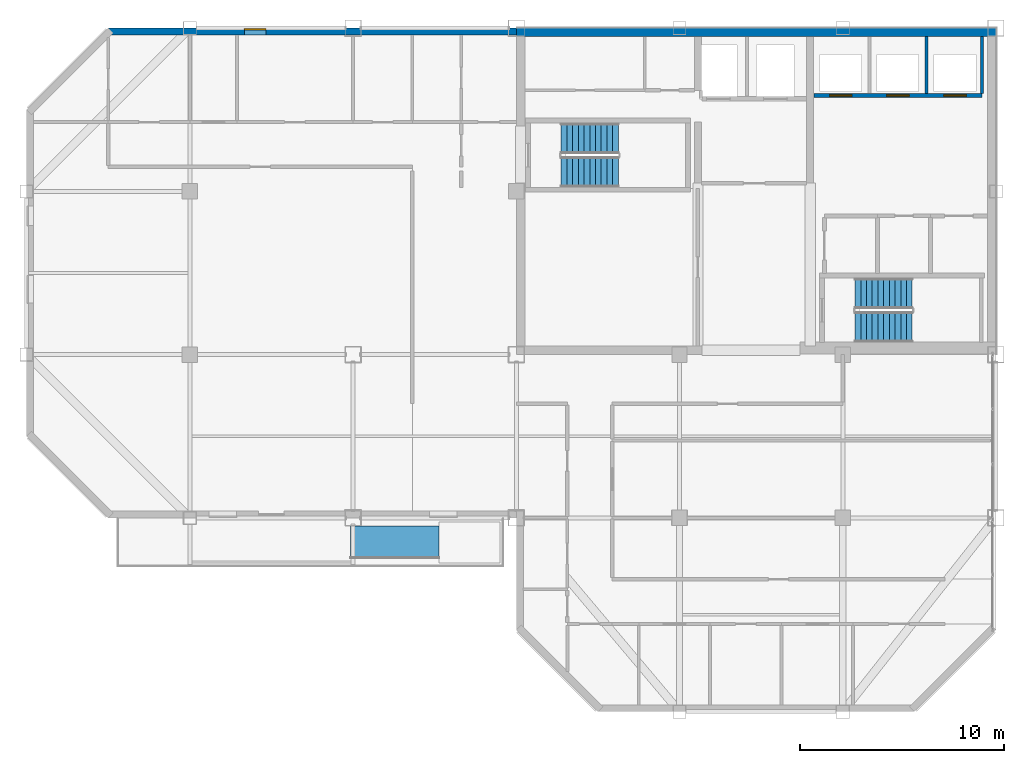
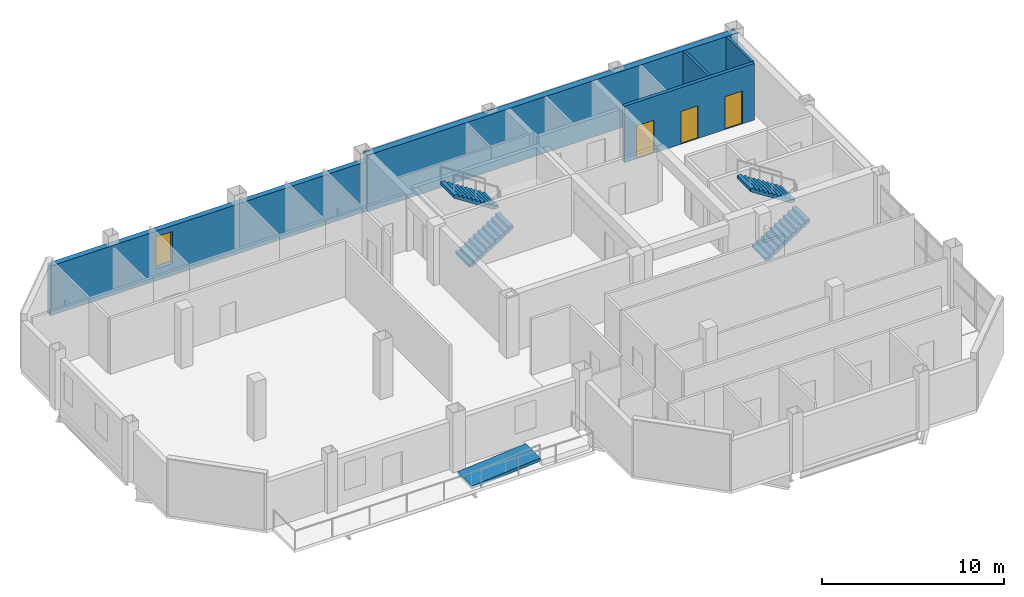
# One storey, part 10 of 13: 5 walls, 4 stair flights, 3 doors, 1 ramp flight, 1 window, 4 openings, 3 elements without a shape of their own.
"""IFC4 building model written with IfcOpenShell, lengths in metres."""

from ifc_helpers import new_model, si_unit, direction, frame, frame_2d, origin, place, context, subcontext, project, spatial, polyline, rectangle, outline, extrude, material, layer, layer_set, type_object, element, fill, aggregate, save


model = new_model("IFC4")

# Units and contexts
model_context = context("Model", 3, precision=1e-05, world=origin(), true_north=direction((0.0, 1.0)))
body_context = subcontext(model_context, "Body", "Model", "MODEL_VIEW")
ifc_project = project(units=[si_unit("LENGTHUNIT", "METRE"), si_unit("AREAUNIT", "SQUARE_METRE"), si_unit("VOLUMEUNIT", "CUBIC_METRE"), si_unit("PLANEANGLEUNIT", "RADIAN"), si_unit("MASSUNIT", "GRAM", prefix="KILO")], contexts=[model_context])

# Site, building, storey
site_placement = place(None, origin())
site = spatial("IfcSite", under=ifc_project, at=site_placement, CompositionType="ELEMENT")
building_placement = place(site_placement, origin())
building = spatial("IfcBuilding", under=site, at=building_placement, Name="Qianrong Seaharbour Tower", CompositionType="ELEMENT")
storey_placement = place(building_placement, frame((0.0, 0.0, 291.199951171875)))
storey = spatial("IfcBuildingStorey", under=building, at=storey_placement, Name="L70", CompositionType="ELEMENT", Elevation=291.199951171875)

# Wall
ifc_material_1 = material(Name="Concrete C50/60", Category="concrete")
ifc_layer_1 = layer(ifc_material_1, 0.419921875)
ifc_layer_set_1 = layer_set([ifc_layer_1], Name="Concrete C50/60")
wall_type_1 = type_object("IfcWallType", Name="WALL-CORE-420", PredefinedType="SHEAR", material=ifc_layer_set_1)
wall_1_placement = place(storey_placement, frame((40.5, 51.7900390625, 0.0), z_axis=(0.0, 0.0, 1.0), x_axis=(1.0, 0.0, 0.0)))
element("IfcWall", 1, at=wall_1_placement, inside=storey, type_object=wall_type_1, Name="L70 North Core Shear Wall", PredefinedType="SHEAR", context=body_context, shape_type="SweptSolid", body=[
    extrude(rectangle(XDim=23.5, YDim=0.419921875, at=frame_2d((11.75, 0.0))), origin(), (0.0, 0.0, 1.0), 3.78515625),
])

# Wall, opening, window
ifc_material_2 = material(Name="Unitised buff brick on Precast concrete C45/55", Category="masonry")
ifc_layer_2 = layer(ifc_material_2, 0.340087890625)
ifc_layer_set_2 = layer_set([ifc_layer_2], Name="Unitised buff brick on Precast concrete C45/55")
wall_type_2 = type_object("IfcWallType", Name="WALL-EXT-BRICK-BUFF-340", PredefinedType="SOLIDWALL", material=ifc_layer_set_2)
wall_2_placement = place(storey_placement, frame((20.5, 51.830078125, 0.0), z_axis=(0.0, 0.0, 1.0), x_axis=(1.0, 0.0, 0.0)))
wall_2 = element("IfcWall", 2, at=wall_2_placement, inside=storey, type_object=wall_type_2, Name="L70 Exterior Masonry Facade Wall NORTH_WING", PredefinedType="SOLIDWALL", context=body_context, shape_type="SweptSolid", body=[
    extrude(rectangle(XDim=20.02001953125, YDim=0.340087890625, at=frame_2d((10.010009765625, 0.0))), origin(), (0.0, 0.0, 1.0), 3.3349609375),
])
opening_1_placement = place(wall_2_placement, frame((6.675048828125, 0.0, 0.800048828125)))
opening_1 = element("IfcOpeningElement", 3, at=opening_1_placement, cuts=wall_2, Name="Opening WN-14", PredefinedType="OPENING", context=body_context, shape_type="SweptSolid", body=[
    extrude(rectangle(XDim=1.050048828125, YDim=2.14990234375, at=frame_2d((0.52490234375, 1.074951171875))), frame((0.0, 0.18017578125, 0.0), z_axis=(0.0, -1.0, 0.0), x_axis=(1.0, 0.0, 0.0)), (0.0, 0.0, 1.0), 0.360107421875),
])
ifc_material_3 = material(Name="Insulated low-e double glazing in thermally broken aluminium 6063-T6 frame", Category="aluminium")
window_type = type_object("IfcWindowType", Name="WIN-NARROW-1050x2150", PartitioningType="SINGLE_PANEL", PredefinedType="WINDOW", material=ifc_material_3)
window_placement = place(opening_1_placement, origin())
window = element("IfcWindow", 4, at=window_placement, inside=storey, type_object=window_type, Name="L70 Deep-Set Punched Window 05.02", OverallHeight=2.14990234375, OverallWidth=1.050048828125, PartitioningType="SINGLE_PANEL", PredefinedType="WINDOW", context=body_context, shape_type="SweptSolid", body=[
    extrude(rectangle(XDim=1.050048828125, YDim=2.14990234375, at=frame_2d((0.52490234375, 1.074951171875))), frame((0.0, 0.150146484375, 0.0), z_axis=(0.0, -1.0, 0.0), x_axis=(1.0, 0.0, 0.0)), (0.0, 0.0, 1.0), 0.06005859375),
])
fill(opening_1, window)

# Walls
ifc_material_4 = material(Name="Fire-rated gypsum board on steel studs", Category="steel")
ifc_layer_3 = layer(ifc_material_4, 0.14990234375)
ifc_layer_set_3 = layer_set([ifc_layer_3], Name="Fire-rated gypsum board on steel studs")
wall_type_3 = type_object("IfcWallType", Name="WALL-SHAFT-DIV-150", PredefinedType="PARTITIONING", material=ifc_layer_set_3)
for number, where, z_axis, x_axis, name in (
    (5, (60.60009765625, 48.81005859375, 0.0), (0.0, 0.0, 1.0), (0.0, 1.0, 0.0), "L70 P4 Lift Hoistway Divider 3"),
    (6, (63.320068359375, 48.81005859375, 0.0), (0.0, 0.0, 1.0), (0.0, 1.0, 0.0), "L70 P4 Lift Hoistway Divider 4"),
):
    element("IfcWall", number, at=place(storey_placement, frame(where, z_axis=z_axis, x_axis=x_axis)), inside=storey, type_object=wall_type_3, Name=name, PredefinedType="PARTITIONING", context=body_context, shape_type="SweptSolid", body=[
        extrude(rectangle(XDim=2.77001953125, YDim=0.14990234375, at=frame_2d((1.385009765625, 0.0))), origin(), (0.0, 0.0, 1.0), 3.78515625),
    ])

# Wall, openings, doors
ifc_layer_4 = layer(ifc_material_4, 0.219970703125)
ifc_layer_set_4 = layer_set([ifc_layer_4], Name="Fire-rated gypsum board on steel studs")
wall_type_4 = type_object("IfcWallType", Name="WALL-SHAFT-GYP220", PredefinedType="PARTITIONING", material=ifc_layer_set_4)
wall_3_placement = place(storey_placement, frame((63.320068359375, 48.699951171875, 0.0), z_axis=(0.0, 0.0, 1.0), x_axis=(-1.0, 0.0, 0.0)))
wall_3 = element("IfcWall", 7, at=wall_3_placement, inside=storey, type_object=wall_type_4, Name="L70 P4 Lift Hoistway Front Wall", PredefinedType="PARTITIONING", context=body_context, shape_type="SweptSolid", body=[
    extrude(rectangle(XDim=8.239990234375, YDim=0.219970703125, at=frame_2d((4.1201171875, 0.0))), origin(), (0.0, 0.0, 1.0), 3.78515625),
])
opening_2_placement = place(wall_3_placement, frame((6.3701171875, 0.0, 0.0)))
opening_2 = element("IfcOpeningElement", 8, at=opening_2_placement, cuts=wall_3, Name="Opening LD-02", PredefinedType="OPENING", context=body_context, shape_type="SweptSolid", body=[
    extrude(rectangle(XDim=1.10009765625, YDim=2.199951171875, at=frame_2d((0.550048828125, 1.10009765625))), frame((0.0, 0.1201171875, 0.0), z_axis=(0.0, -1.0, 0.0), x_axis=(1.0, 0.0, 0.0)), (0.0, 0.0, 1.0), 0.239990234375),
])
opening_3_placement = place(wall_3_placement, frame((3.570068359375, 0.0, 0.0)))
opening_3 = element("IfcOpeningElement", 9, at=opening_3_placement, cuts=wall_3, Name="Opening LD-02", PredefinedType="OPENING", context=body_context, shape_type="SweptSolid", body=[
    extrude(rectangle(XDim=1.10009765625, YDim=2.199951171875, at=frame_2d((0.550048828125, 1.10009765625))), frame((0.0, 0.1201171875, 0.0), z_axis=(0.0, -1.0, 0.0), x_axis=(1.0, 0.0, 0.0)), (0.0, 0.0, 1.0), 0.239990234375),
])
opening_4_placement = place(wall_3_placement, frame((0.77001953125, 0.0, 0.0)))
opening_4 = element("IfcOpeningElement", 10, at=opening_4_placement, cuts=wall_3, Name="Opening LD-02", PredefinedType="OPENING", context=body_context, shape_type="SweptSolid", body=[
    extrude(rectangle(XDim=1.10009765625, YDim=2.199951171875, at=frame_2d((0.550048828125, 1.10009765625))), frame((0.0, 0.1201171875, 0.0), z_axis=(0.0, -1.0, 0.0), x_axis=(1.0, 0.0, 0.0)), (0.0, 0.0, 1.0), 0.239990234375),
])
ifc_material_5 = material(Name="Stainless steel SUS316L bi-parting lift landing door", Category="steel")
door_type = type_object("IfcDoorType", Name="DOOR-LIFT-PASS-1100x2200", OperationType="DOUBLE_DOOR_SLIDING", PredefinedType="DOOR", material=ifc_material_5)
door_1_placement = place(opening_2_placement, origin())
door_1 = element("IfcDoor", 11, at=door_1_placement, inside=storey, type_object=door_type, Name="L70 PL-4A Lift Landing Door", OperationType="DOUBLE_DOOR_SLIDING", OverallHeight=2.199951171875, OverallWidth=1.10009765625, PredefinedType="DOOR", context=body_context, shape_type="SweptSolid", body=[
    extrude(rectangle(XDim=1.10009765625, YDim=2.199951171875, at=frame_2d((0.550048828125, 1.10009765625))), frame((0.0, 0.02490234375, 0.0), z_axis=(0.0, -1.0, 0.0), x_axis=(1.0, 0.0, 0.0)), (0.0, 0.0, 1.0), 0.050048828125),
])
fill(opening_2, door_1)
door_2_placement = place(opening_3_placement, origin())
door_2 = element("IfcDoor", 12, at=door_2_placement, inside=storey, type_object=door_type, Name="L70 PL-4B Lift Landing Door", OperationType="DOUBLE_DOOR_SLIDING", OverallHeight=2.199951171875, OverallWidth=1.10009765625, PredefinedType="DOOR", context=body_context, shape_type="SweptSolid", body=[
    extrude(rectangle(XDim=1.10009765625, YDim=2.199951171875, at=frame_2d((0.550048828125, 1.10009765625))), frame((0.0, 0.02490234375, 0.0), z_axis=(0.0, -1.0, 0.0), x_axis=(1.0, 0.0, 0.0)), (0.0, 0.0, 1.0), 0.050048828125),
])
fill(opening_3, door_2)
door_3_placement = place(opening_4_placement, origin())
door_3 = element("IfcDoor", 13, at=door_3_placement, inside=storey, type_object=door_type, Name="L70 PL-4C Lift Landing Door", OperationType="DOUBLE_DOOR_SLIDING", OverallHeight=2.199951171875, OverallWidth=1.10009765625, PredefinedType="DOOR", context=body_context, shape_type="SweptSolid", body=[
    extrude(rectangle(XDim=1.10009765625, YDim=2.199951171875, at=frame_2d((0.550048828125, 1.10009765625))), frame((0.0, 0.02490234375, 0.0), z_axis=(0.0, -1.0, 0.0), x_axis=(1.0, 0.0, 0.0)), (0.0, 0.0, 1.0), 0.050048828125),
])
fill(opening_4, door_3)

# Stair, stair flights
stair_type = type_object("IfcStairType", Name="STAIR-DOGLEG-1500-R22", PredefinedType="HALF_TURN_STAIR", material=ifc_material_1)
stair_1_placement = place(storey_placement, origin())
stair_1 = element("IfcStair", 14, at=stair_1_placement, inside=storey, type_object=stair_type, Name="L70 Protected Escape Stair ST-1", PredefinedType="HALF_TURN_STAIR")
stair_flight_type = type_object("IfcStairFlightType", Name="FLIGHT-STR-1500-R22", PredefinedType="STRAIGHT", material=ifc_material_1)
stair_flight_1_placement = place(storey_placement, frame((42.699951171875, 44.949951171875, 0.0), z_axis=(0.0, 0.0, 1.0), x_axis=(1.0, 0.0, 0.0)))
stair_flight_1 = element("IfcStairFlight", 15, at=stair_flight_1_placement, type_object=stair_flight_type, Name="ST-1 flight 1", NumberOfRisers=11, NumberOfTreads=10, PredefinedType="STRAIGHT", RiserHeight=0.181818182, TreadLength=0.28, context=body_context, shape_type="SweptSolid", body=[
    extrude(outline(polyline([(0.0, 0.0), (0.0, 0.181884765625), (0.280029296875, 0.181884765625), (0.280029296875, 0.363525390625), (0.56005859375, 0.363525390625), (0.56005859375, 0.54541015625), (0.840087890625, 0.54541015625), (0.840087890625, 0.727294921875), (1.1201171875, 0.727294921875), (1.1201171875, 0.9091796875), (1.39990234375, 0.9091796875), (1.39990234375, 1.0908203125), (1.679931640625, 1.0908203125), (1.679931640625, 1.272705078125), (1.9599609375, 1.272705078125), (1.9599609375, 1.45458984375), (2.239990234375, 1.45458984375), (2.239990234375, 1.636474609375), (2.52001953125, 1.636474609375), (2.52001953125, 1.818115234375), (2.800048828125, 1.818115234375), (2.800048828125, 2.0), (2.800048828125, 1.62744140625), (0.293701171875, 0.0), (0.0, 0.0)])), frame((0.0, 0.75, 0.0), z_axis=(0.0, -1.0, 0.0), x_axis=(1.0, 0.0, 0.0)), (0.0, 0.0, 1.0), 1.5),
])
stair_flight_2_placement = place(storey_placement, frame((45.5, 46.60009765625, 2.0), z_axis=(0.0, 0.0, 1.0), x_axis=(-1.0, 0.0, 0.0)))
stair_flight_2 = element("IfcStairFlight", 16, at=stair_flight_2_placement, type_object=stair_flight_type, Name="ST-1 flight 2", NumberOfRisers=11, NumberOfTreads=10, PredefinedType="STRAIGHT", RiserHeight=0.181818182, TreadLength=0.28, context=body_context, shape_type="SweptSolid", body=[
    extrude(outline(polyline([(0.0, 0.0), (0.0, 0.181884765625), (0.280029296875, 0.181884765625), (0.280029296875, 0.363525390625), (0.56005859375, 0.363525390625), (0.56005859375, 0.54541015625), (0.840087890625, 0.54541015625), (0.840087890625, 0.727294921875), (1.1201171875, 0.727294921875), (1.1201171875, 0.9091796875), (1.39990234375, 0.9091796875), (1.39990234375, 1.0908203125), (1.679931640625, 1.0908203125), (1.679931640625, 1.272705078125), (1.9599609375, 1.272705078125), (1.9599609375, 1.45458984375), (2.239990234375, 1.45458984375), (2.239990234375, 1.636474609375), (2.52001953125, 1.636474609375), (2.52001953125, 1.818115234375), (2.800048828125, 1.818115234375), (2.800048828125, 2.0), (2.800048828125, 1.62744140625), (0.293701171875, 0.0), (0.0, 0.0)])), frame((0.0, 0.75, 0.0), z_axis=(0.0, -1.0, 0.0), x_axis=(1.0, 0.0, 0.0)), (0.0, 0.0, 1.0), 1.5),
])
aggregate(stair_1, [stair_flight_1, stair_flight_2])

stair_2_placement = place(storey_placement, origin())
stair_2 = element("IfcStair", 17, at=stair_2_placement, inside=storey, type_object=stair_type, Name="L70 Protected Escape Stair ST-2", PredefinedType="HALF_TURN_STAIR")
stair_flight_3_placement = place(storey_placement, frame((57.10009765625, 37.35009765625, 0.0), z_axis=(0.0, 0.0, 1.0), x_axis=(1.0, 0.0, 0.0)))
stair_flight_3 = element("IfcStairFlight", 18, at=stair_flight_3_placement, type_object=stair_flight_type, Name="ST-2 flight 1", NumberOfRisers=11, NumberOfTreads=10, PredefinedType="STRAIGHT", RiserHeight=0.181818182, TreadLength=0.28, context=body_context, shape_type="SweptSolid", body=[
    extrude(outline(polyline([(0.0, 0.0), (0.0, 0.181884765625), (0.280029296875, 0.181884765625), (0.280029296875, 0.363525390625), (0.56005859375, 0.363525390625), (0.56005859375, 0.54541015625), (0.840087890625, 0.54541015625), (0.840087890625, 0.727294921875), (1.1201171875, 0.727294921875), (1.1201171875, 0.9091796875), (1.39990234375, 0.9091796875), (1.39990234375, 1.0908203125), (1.679931640625, 1.0908203125), (1.679931640625, 1.272705078125), (1.9599609375, 1.272705078125), (1.9599609375, 1.45458984375), (2.239990234375, 1.45458984375), (2.239990234375, 1.636474609375), (2.52001953125, 1.636474609375), (2.52001953125, 1.818115234375), (2.800048828125, 1.818115234375), (2.800048828125, 2.0), (2.800048828125, 1.62744140625), (0.293701171875, 0.0), (0.0, 0.0)])), frame((0.0, 0.75, 0.0), z_axis=(0.0, -1.0, 0.0), x_axis=(1.0, 0.0, 0.0)), (0.0, 0.0, 1.0), 1.5),
])
stair_flight_4_placement = place(storey_placement, frame((59.89990234375, 39.0, 2.0), z_axis=(0.0, 0.0, 1.0), x_axis=(-1.0, 0.0, 0.0)))
stair_flight_4 = element("IfcStairFlight", 19, at=stair_flight_4_placement, type_object=stair_flight_type, Name="ST-2 flight 2", NumberOfRisers=11, NumberOfTreads=10, PredefinedType="STRAIGHT", RiserHeight=0.181818182, TreadLength=0.28, context=body_context, shape_type="SweptSolid", body=[
    extrude(outline(polyline([(0.0, 0.0), (0.0, 0.181884765625), (0.280029296875, 0.181884765625), (0.280029296875, 0.363525390625), (0.56005859375, 0.363525390625), (0.56005859375, 0.54541015625), (0.840087890625, 0.54541015625), (0.840087890625, 0.727294921875), (1.1201171875, 0.727294921875), (1.1201171875, 0.9091796875), (1.39990234375, 0.9091796875), (1.39990234375, 1.0908203125), (1.679931640625, 1.0908203125), (1.679931640625, 1.272705078125), (1.9599609375, 1.272705078125), (1.9599609375, 1.45458984375), (2.239990234375, 1.45458984375), (2.239990234375, 1.636474609375), (2.52001953125, 1.636474609375), (2.52001953125, 1.818115234375), (2.800048828125, 1.818115234375), (2.800048828125, 2.0), (2.800048828125, 1.62744140625), (0.293701171875, 0.0), (0.0, 0.0)])), frame((0.0, 0.75, 0.0), z_axis=(0.0, -1.0, 0.0), x_axis=(1.0, 0.0, 0.0)), (0.0, 0.0, 1.0), 1.5),
])
aggregate(stair_2, [stair_flight_3, stair_flight_4])

# Ramp, ramp flight
ifc_material_6 = material(Name="White architectural precast concrete C45/55", Category="concrete")
ramp_type = type_object("IfcRampType", Name="RAMP-RIBBON-GARDEN", PredefinedType="STRAIGHT_RUN_RAMP", material=ifc_material_6)
ramp_placement = place(storey_placement, origin())
ramp = element("IfcRamp", 20, at=ramp_placement, inside=storey, type_object=ramp_type, Name="L70 Harbourfront Garden Ribbon Ramp", PredefinedType="STRAIGHT_RUN_RAMP")
ifc_layer_5 = layer(ifc_material_6, 0.199951171875)
ifc_layer_set_5 = layer_set([ifc_layer_5], Name="White architectural precast concrete C45/55")
ramp_flight_type = type_object("IfcRampFlightType", Name="RAMP-FLIGHT-GARDEN-200", PredefinedType="STRAIGHT", material=ifc_layer_set_5)
ramp_flight_placement = place(storey_placement, frame((32.3798828125, 26.800048828125, 0.0), z_axis=(0.0, 0.0, 1.0), x_axis=(1.0, 0.0, 0.0)))
ramp_flight = element("IfcRampFlight", 21, at=ramp_flight_placement, type_object=ramp_flight_type, Name="L70 Harbourfront Garden Ribbon Ramp Flight", PredefinedType="STRAIGHT", context=body_context, shape_type="SweptSolid", body=[
    extrude(outline(polyline([(0.0, 0.0), (4.320068359375, 0.360107421875), (4.320068359375, 0.16015625), (0.0, -0.199951171875), (0.0, 0.0)])), frame((0.0, 0.800048828125, 0.0), z_axis=(0.0, -1.0, 0.0), x_axis=(1.0, 0.0, 0.0)), (0.0, 0.0, 1.0), 1.60009765625),
])
aggregate(ramp, [ramp_flight])

save(model, "model.ifc")
